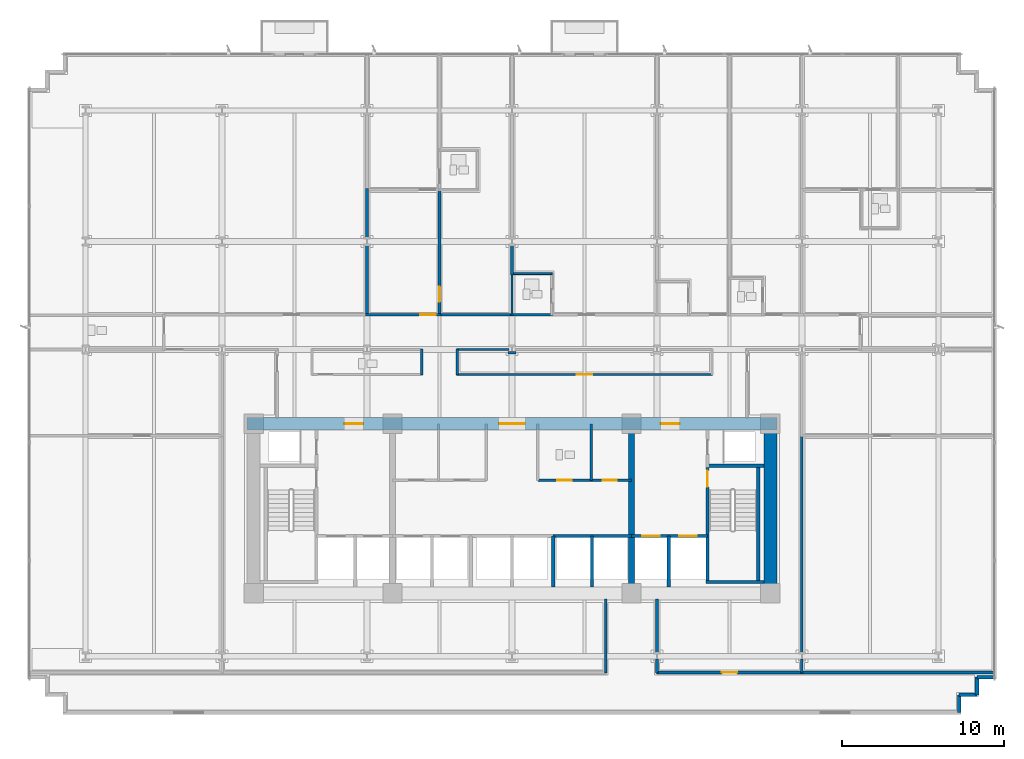
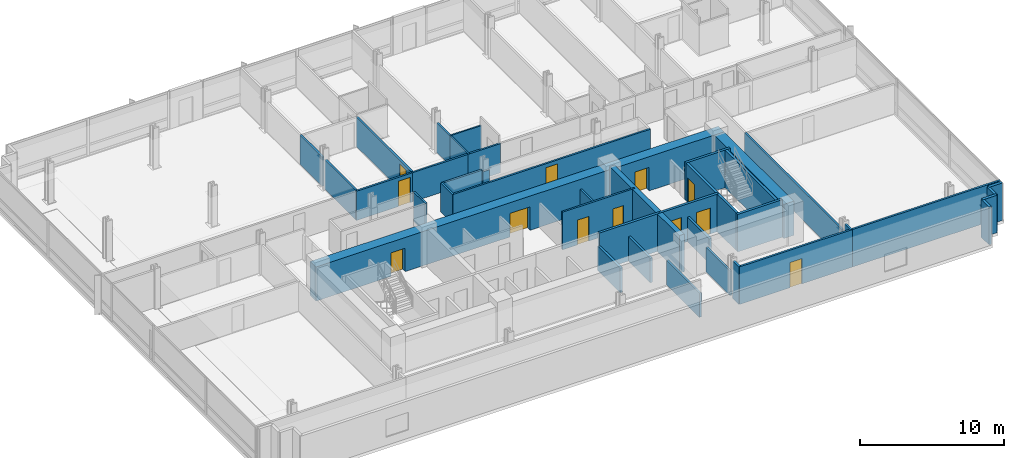
# One storey, part 9 of 17: 39 walls, 12 doors, 12 openings.
"""IFC4 building model written with IfcOpenShell, lengths in metres."""

import ifcopenshell
import ifcopenshell.guid

model = None  # the IFC model being written
_history = None  # IfcOwnerHistory: only IFC2X3 demands one
_inside = {}  # id of a spatial element -> (the spatial element, [elements in it])
_under = {}  # id of a project, library or spatial element -> (it, [spatial elements below it])
_declared = {}  # id of a project -> (the project, [libraries it declares])
_typed = {}  # id of a type object -> (the type object, [elements of that type])
_made_of = {}  # id of a material, layer set ... -> (it, [elements and type objects made of it])


def new_model(schema):
    """Start an empty IFC model of exactly this schema.

    Asked for "IFC4X3", IfcOpenShell would pick the latest addendum, in which some entities
    have other attributes; the version numbers below select the first issue.
    IFC2X3 requires an IfcOwnerHistory on every rooted entity: one is made here for all.
    """
    global model, _history
    if schema == "IFC4X3":
        model = ifcopenshell.file(schema_version=(4, 3, 0, 0))
    else:
        model = ifcopenshell.file(schema=schema)
    _inside.clear()
    _under.clear()
    _declared.clear()
    _typed.clear()
    _made_of.clear()
    _history = None
    if model.schema == "IFC2X3":
        org = make("IfcOrganization", Name="unknown")
        user = make(
            "IfcPersonAndOrganization",
            ThePerson=make("IfcPerson", FamilyName="unknown"),
            TheOrganization=org,
        )
        app = make(
            "IfcApplication",
            ApplicationDeveloper=org,
            Version="unknown",
            ApplicationFullName="unknown",
            ApplicationIdentifier="unknown",
        )
        _history = make(
            "IfcOwnerHistory",
            OwningUser=user,
            OwningApplication=app,
            ChangeAction="ADDED",
            CreationDate=0,
        )
    return model


def make(cls, **values):
    """One entity of the class cls with the attributes given. An attribute that is None is left unset."""
    return model.create_entity(
        cls, **{name: value for name, value in values.items() if value is not None}
    )


def rooted(cls, **values):
    """An entity with a GlobalId (a new one), such as an element, a storey or a relation."""
    return make(cls, GlobalId=ifcopenshell.guid.new(), OwnerHistory=_history, **values)


def si_unit(unit_type, name, prefix=None):
    """IfcSIUnit, for example si_unit("LENGTHUNIT", "METRE", prefix="MILLI")."""
    return make("IfcSIUnit", UnitType=unit_type, Prefix=prefix, Name=name)


def assignment(units):
    """IfcUnitAssignment: the units of a project."""
    return None if units is None else make("IfcUnitAssignment", Units=units)


def point(xyz):
    """IfcCartesianPoint."""
    return None if xyz is None else make("IfcCartesianPoint", Coordinates=xyz)


def direction(xyz):
    """IfcDirection."""
    return None if xyz is None else make("IfcDirection", DirectionRatios=xyz)


def frame(location, z_axis=None, x_axis=None):
    """IfcAxis2Placement3D, a coordinate frame: its origin and axes. An axis left out is left unset."""
    return make(
        "IfcAxis2Placement3D",
        Location=point(location),
        Axis=direction(z_axis),
        RefDirection=direction(x_axis),
    )


def frame_2d(location, x_axis=None):
    """IfcAxis2Placement2D, a coordinate frame in the plane: its origin and x axis."""
    return make(
        "IfcAxis2Placement2D", Location=point(location), RefDirection=direction(x_axis)
    )


def origin():
    """The frame at (0, 0, 0) with its axes left unset."""
    return frame((0.0, 0.0, 0.0))


def place(relative_to, where):
    """IfcLocalPlacement: puts the frame where relative to a parent placement (None: the world)."""
    return make(
        "IfcLocalPlacement", PlacementRelTo=relative_to, RelativePlacement=where
    )


def context(
    kind, dimensions, precision=None, world=None, true_north=None, identifier=None
):
    """IfcGeometricRepresentationContext, for example the 3D "Model" context."""
    return make(
        "IfcGeometricRepresentationContext",
        ContextIdentifier=identifier,
        ContextType=kind,
        CoordinateSpaceDimension=dimensions,
        Precision=precision,
        WorldCoordinateSystem=world,
        TrueNorth=true_north,
    )


def subcontext(parent, identifier, kind, view, scale=None):
    """IfcGeometricRepresentationSubContext, for example "Body" below "Model"."""
    return make(
        "IfcGeometricRepresentationSubContext",
        ContextIdentifier=identifier,
        ContextType=kind,
        ParentContext=parent,
        TargetScale=scale,
        TargetView=view,
    )


def project(units=None, contexts=None):
    """IfcProject with its units and contexts."""
    return rooted(
        "IfcProject",
        Name="project",
        RepresentationContexts=contexts,
        UnitsInContext=assignment(units),
    )


def spatial(cls, under=None, at=None, **own):
    """A site, building, storey or space (cls), placed at a placement, below another one or the project."""
    s = rooted(cls, ObjectPlacement=at, **own)
    if under is not None:
        _under.setdefault(under.id(), (under, []))[1].append(s)
    return s


def profile(cls, at=None, kind="AREA", **sizes):
    """A parametric profile (cls). Its sizes go by their IFC names, for example OverallWidth=200.0."""
    return make(cls, ProfileType=kind, Position=at, **sizes)


def rectangle(**sizes):
    """IfcRectangleProfileDef."""
    return profile("IfcRectangleProfileDef", **sizes)


def extrude(swept, where, along, depth):
    """IfcExtrudedAreaSolid: the profile swept, set in the frame where, extruded along a direction by depth."""
    return make(
        "IfcExtrudedAreaSolid",
        SweptArea=swept,
        Position=where,
        ExtrudedDirection=direction(along),
        Depth=depth,
    )


def shape(context_of_items, identifier, shape_type, items):
    """IfcShapeRepresentation: the items that make up one representation, for example the "Body"."""
    return make(
        "IfcShapeRepresentation",
        ContextOfItems=context_of_items,
        RepresentationIdentifier=identifier,
        RepresentationType=shape_type,
        Items=items,
    )


def material(Name=None, Category=None):
    """IfcMaterial."""
    return make("IfcMaterial", Name=Name, Category=Category)


def layer(
    of_material, thickness, ventilated=None, Name=None, Category=None, Priority=None
):
    """IfcMaterialLayer: one layer of a wall or slab, of a material (None: an air gap)."""
    return make(
        "IfcMaterialLayer",
        Material=of_material,
        LayerThickness=thickness,
        IsVentilated=ventilated,
        Name=Name,
        Category=Category,
        Priority=Priority,
    )


def layer_set(layers, Name=None):
    """IfcMaterialLayerSet."""
    return make("IfcMaterialLayerSet", MaterialLayers=layers, LayerSetName=Name)


def made_of(thing, what):
    """Note that an element or type object is made of a material, layer set ...; save() writes the relation."""
    if what is not None:
        _made_of.setdefault(what.id(), (what, []))[1].append(thing)
    return thing


def type_object(cls, material=None, **own):
    """A type object (cls), such as IfcWallType, which elements share."""
    return made_of(rooted(cls, **own), material)


def element(
    cls,
    number,
    at=None,
    inside=None,
    cuts=None,
    type_object=None,
    material=None,
    context=None,
    identifier="Body",
    shape_type=None,
    held_by="IfcProductDefinitionShape",
    body=None,
    shapes=None,
    **own,
):
    """One element of the class cls, such as IfcWall. Its Tag is "e" and its number.

    at: its placement. inside: the storey or other place that contains it. cuts: it is an
    opening in that element (IfcRelVoidsElement). A single representation is given by context,
    identifier, shape_type and body (its items); several are given by shapes. held_by: the class
    of the entity that holds the representations. save() writes the other relations.
    """
    e = rooted(cls, Tag="e%d" % number, ObjectPlacement=at, **own)
    if body is not None:
        shapes = [shape(context, identifier, shape_type, body)]
    if shapes is not None:
        e.Representation = make(held_by, Representations=shapes)
    if inside is not None:
        _inside.setdefault(inside.id(), (inside, []))[1].append(e)
    if cuts is not None:
        rooted(
            "IfcRelVoidsElement", RelatingBuildingElement=cuts, RelatedOpeningElement=e
        )
    if type_object is not None:
        _typed.setdefault(type_object.id(), (type_object, []))[1].append(e)
    return made_of(e, material)


def fill(opening, filler):
    """IfcRelFillsElement: the door or window that sits in an opening."""
    return rooted(
        "IfcRelFillsElement",
        RelatingOpeningElement=opening,
        RelatedBuildingElement=filler,
    )


def aggregate(whole, parts):
    """IfcRelAggregates: a whole, such as a stair, and the parts it consists of."""
    return rooted("IfcRelAggregates", RelatingObject=whole, RelatedObjects=parts)


def save(model, path):
    """Write the relations noted so far, then the file.

    IfcRelAggregates (storeys below a building ...), IfcRelContainedInSpatialStructure (elements
    in a storey), IfcRelDefinesByType, IfcRelAssociatesMaterial and IfcRelDeclares: one each for
    every whole, place, type object, material and project.
    """
    for whole, parts in _under.values():
        aggregate(whole, parts)
    for where, things in _inside.values():
        rooted(
            "IfcRelContainedInSpatialStructure",
            RelatedElements=things,
            RelatingStructure=where,
        )
    for kind, things in _typed.values():
        rooted("IfcRelDefinesByType", RelatedObjects=things, RelatingType=kind)
    for what, things in _made_of.values():
        rooted("IfcRelAssociatesMaterial", RelatedObjects=things, RelatingMaterial=what)
    for by, libraries in _declared.values():
        rooted("IfcRelDeclares", RelatingContext=by, RelatedDefinitions=libraries)
    model.write(path)


model = new_model("IFC4")

# Units and contexts
model_context = context("Model", 3, precision=1e-05, world=origin(), true_north=direction((0.0, 1.0)))
body_context = subcontext(model_context, "Body", "Model", "MODEL_VIEW")
ifc_project = project(units=[si_unit("LENGTHUNIT", "METRE"), si_unit("AREAUNIT", "SQUARE_METRE"), si_unit("VOLUMEUNIT", "CUBIC_METRE"), si_unit("PLANEANGLEUNIT", "RADIAN"), si_unit("MASSUNIT", "GRAM", prefix="KILO")], contexts=[model_context])

# Site, building, storey
site_placement = place(None, origin())
site = spatial("IfcSite", under=ifc_project, at=site_placement, CompositionType="ELEMENT")
building_placement = place(site_placement, origin())
building = spatial("IfcBuilding", under=site, at=building_placement, Name="Solmavex Isthmus Hotel", CompositionType="ELEMENT")
storey_placement = place(building_placement, frame((0.0, 0.0, 40.199951171875)))
storey = spatial("IfcBuildingStorey", under=building, at=storey_placement, Name="L10", CompositionType="ELEMENT", Elevation=40.199951171875)

# Walls
ifc_material_1 = material(Name="Precast Concrete C40/50", Category="concrete")
ifc_layer_1 = layer(ifc_material_1, 0.25)
ifc_layer_set_1 = layer_set([ifc_layer_1], Name="Precast Concrete C40/50")
wall_type_1 = type_object("IfcWallType", Name="EW-TWR-250", PredefinedType="STANDARD", material=ifc_layer_set_1)
wall_1_placement = place(storey_placement, frame((29.889892578125, -18.18994140625, 0.0), z_axis=(0.0, 0.0, 1.0), x_axis=(-1.0, 0.0, 0.0)))
element("IfcWall", 1, at=wall_1_placement, inside=storey, type_object=wall_type_1, Name="Serrated Corner Facade Panel L10-16", PredefinedType="STANDARD", context=body_context, shape_type="SweptSolid", body=[
    extrude(rectangle(XDim=1.099853515625, YDim=0.219970703125, at=frame_2d((0.5498046875, 0.0))), origin(), (0.0, 0.0, 1.0), 3.18994140625),
])
for number, where, z_axis, x_axis, name in (
    (2, (28.7900390625, -18.18994140625, 0.0), (0.0, 0.0, 1.0), (0.0, -1.0, 0.0), "Serrated Corner Facade Panel L10-17"),
    (3, (28.7900390625, -19.2900390625, 0.0), (0.0, 0.0, 1.0), (-1.0, 0.0, 0.0), "Serrated Corner Facade Panel L10-18"),
):
    element("IfcWall", number, at=place(storey_placement, frame(where, z_axis=z_axis, x_axis=x_axis)), inside=storey, type_object=wall_type_1, Name=name, PredefinedType="STANDARD", context=body_context, shape_type="SweptSolid", body=[
        extrude(rectangle(XDim=1.10009765625, YDim=0.219970703125, at=frame_2d((0.550048828125, 0.0))), origin(), (0.0, 0.0, 1.0), 3.18994140625),
    ])
wall_2_placement = place(storey_placement, frame((27.68994140625, -19.2900390625, 0.0), z_axis=(0.0, 0.0, 1.0), x_axis=(0.0, -1.0, 0.0)))
element("IfcWall", 4, at=wall_2_placement, inside=storey, type_object=wall_type_1, Name="Serrated Corner Facade Panel L10-19", PredefinedType="STANDARD", context=body_context, shape_type="SweptSolid", body=[
    extrude(rectangle(XDim=1.099853515625, YDim=0.219970703125, at=frame_2d((0.5498046875, 0.0))), origin(), (0.0, 0.0, 1.0), 3.18994140625),
])
ifc_material_2 = material(Name="Gypsum plasterboard lining", Category="gypsum")
ifc_layer_2 = layer(ifc_material_2, 0.159912109375)
ifc_layer_set_2 = layer_set([ifc_layer_2], Name="Gypsum plasterboard lining")
wall_type_2 = type_object("IfcWallType", Name="IW-COMP-160", PredefinedType="PARTITIONING", material=ifc_layer_set_2)
wall_3_placement = place(storey_placement, frame((-8.97607421875, 8.613037109375, 0.0), z_axis=(0.0, 0.0, 1.0), x_axis=(0.0, -1.0, 0.0)))
element("IfcWall", 5, at=wall_3_placement, inside=storey, type_object=wall_type_2, Name="Interior Partition Wall W-L10-P033", PredefinedType="PARTITIONING", context=body_context, shape_type="SweptSolid", body=[
    extrude(rectangle(XDim=4.403076171875, YDim=0.159912109375, at=frame_2d((2.20166015625, 0.0))), origin(), (0.0, 0.0, 1.0), 2.4794921875),
])
wall_4_placement = place(storey_placement, frame((-8.97607421875, 12.070068359375, 0.0), z_axis=(0.0, 0.0, 1.0), x_axis=(0.0, -1.0, 0.0)))
element("IfcWall", 6, at=wall_4_placement, inside=storey, type_object=wall_type_2, Name="Interior Partition Wall W-L10-P034", PredefinedType="PARTITIONING", context=body_context, shape_type="SweptSolid", body=[
    extrude(rectangle(XDim=3.107177734375, YDim=0.159912109375, at=frame_2d((1.5537109375, 0.0))), origin(), (0.0, 0.0, 1.0), 2.4794921875),
])

# Wall, opening, door
wall_5_placement = place(storey_placement, frame((-4.488037109375, 12.028076171875, 0.0), z_axis=(0.0, 0.0, 1.0), x_axis=(0.0, -1.0, 0.0)))
wall_5 = element("IfcWall", 7, at=wall_5_placement, inside=storey, type_object=wall_type_2, Name="Interior Partition Wall W-L10-P039", PredefinedType="PARTITIONING", context=body_context, shape_type="SweptSolid", body=[
    extrude(rectangle(XDim=7.818115234375, YDim=0.159912109375, at=frame_2d((3.9091796875, 0.0))), origin(), (0.0, 0.0, 1.0), 2.4794921875),
])
opening_1_placement = place(wall_5_placement, frame((6.033935546875, 0.0, 0.0)))
opening_1 = element("IfcOpeningElement", 8, at=opening_1_placement, cuts=wall_5, Name="Opening ID-C095", PredefinedType="OPENING", context=body_context, shape_type="SweptSolid", body=[
    extrude(rectangle(XDim=0.949951171875, YDim=2.14990234375, at=frame_2d((0.47509765625, 1.074951171875))), frame((0.0, 0.08984375, 0.0), z_axis=(0.0, -1.0, 0.0), x_axis=(1.0, 0.0, 0.0)), (0.0, 0.0, 1.0), 0.179931640625),
])
ifc_material_3 = material(Name="Hardwood timber", Category="wood")
door_type_1 = type_object("IfcDoorType", Name="IDR-FD60-0950", OperationType="NOTDEFINED", PredefinedType="DOOR", material=ifc_material_3)
door_1_placement = place(opening_1_placement, origin())
door_1 = element("IfcDoor", 9, at=door_1_placement, inside=storey, type_object=door_type_1, Name="Premier Suite Living Lounge Door L10-04", OperationType="SINGLE_SWING_RIGHT", OverallHeight=2.14990234375, OverallWidth=0.949951171875, PredefinedType="DOOR", context=body_context, shape_type="SweptSolid", body=[
    extrude(rectangle(XDim=0.949951171875, YDim=2.14990234375, at=frame_2d((0.47509765625, 1.074951171875))), frame((0.0, 0.02490234375, 0.0), z_axis=(0.0, -1.0, 0.0), x_axis=(1.0, 0.0, 0.0)), (0.0, 0.0, 1.0), 0.050048828125),
])
fill(opening_1, door_1)

# Wall
wall_6_placement = place(storey_placement, frame((0.0, 8.613037109375, 0.0), z_axis=(0.0, 0.0, 1.0), x_axis=(0.0, -1.0, 0.0)))
element("IfcWall", 10, at=wall_6_placement, inside=storey, type_object=wall_type_2, Name="Interior Partition Wall W-L10-P045", PredefinedType="PARTITIONING", context=body_context, shape_type="SweptSolid", body=[
    extrude(rectangle(XDim=1.89501953125, YDim=0.159912109375, at=frame_2d((0.947509765625, 0.0))), origin(), (0.0, 0.0, 1.0), 2.4794921875),
])

# Wall, opening, door
wall_7_placement = place(storey_placement, frame((17.991943359375, -17.89990234375, 0.0), z_axis=(0.0, 0.0, 1.0), x_axis=(-1.0, 0.0, 0.0)))
wall_7 = element("IfcWall", 11, at=wall_7_placement, inside=storey, type_object=wall_type_2, Name="Interior Partition Wall W-L10-P081", PredefinedType="PARTITIONING", context=body_context, shape_type="SweptSolid", body=[
    extrude(rectangle(XDim=9.055908203125, YDim=0.159912109375, at=frame_2d((4.52783203125, 0.0))), origin(), (0.0, 0.0, 1.0), 3.18994140625),
])
opening_2_placement = place(wall_7_placement, frame((4.052978515625, 0.0, 0.0)))
opening_2 = element("IfcOpeningElement", 12, at=opening_2_placement, cuts=wall_7, Name="Opening ID-C095", PredefinedType="OPENING", context=body_context, shape_type="SweptSolid", body=[
    extrude(rectangle(XDim=0.949951171875, YDim=2.14990234375, at=frame_2d((0.47509765625, 1.074951171875))), frame((0.0, 0.08984375, 0.0), z_axis=(0.0, -1.0, 0.0), x_axis=(1.0, 0.0, 0.0)), (0.0, 0.0, 1.0), 0.179931640625),
])
door_2_placement = place(opening_2_placement, origin())
door_2 = element("IfcDoor", 13, at=door_2_placement, inside=storey, type_object=door_type_1, Name="Corporate Briefing Office Door L10-24", OperationType="SINGLE_SWING_RIGHT", OverallHeight=2.14990234375, OverallWidth=0.949951171875, PredefinedType="DOOR", context=body_context, shape_type="SweptSolid", body=[
    extrude(rectangle(XDim=0.949951171875, YDim=2.14990234375, at=frame_2d((0.47509765625, 1.074951171875))), frame((0.0, 0.02490234375, 0.0), z_axis=(0.0, -1.0, 0.0), x_axis=(1.0, 0.0, 0.0)), (0.0, 0.0, 1.0), 0.050048828125),
])
fill(opening_2, door_2)

# Walls
wall_8_placement = place(storey_placement, frame((8.97607421875, -17.93994140625, 0.0), z_axis=(0.0, 0.0, 1.0), x_axis=(0.0, 1.0, 0.0)))
element("IfcWall", 14, at=wall_8_placement, inside=storey, type_object=wall_type_2, Name="Interior Partition Wall W-L10-P082", PredefinedType="PARTITIONING", context=body_context, shape_type="SweptSolid", body=[
    extrude(rectangle(XDim=0.864990234375, YDim=0.159912109375, at=frame_2d((0.4326171875, 0.0))), origin(), (0.0, 0.0, 1.0), 3.18994140625),
])
wall_9_placement = place(storey_placement, frame((8.97607421875, -16.72509765625, 0.0), z_axis=(0.0, 0.0, 1.0), x_axis=(0.0, 1.0, 0.0)))
element("IfcWall", 15, at=wall_9_placement, inside=storey, type_object=wall_type_2, Name="Interior Partition Wall W-L10-P083", PredefinedType="PARTITIONING", context=body_context, shape_type="SweptSolid", body=[
    extrude(rectangle(XDim=3.364990234375, YDim=0.159912109375, at=frame_2d((1.6826171875, 0.0))), origin(), (0.0, 0.0, 1.0), 2.074951171875),
])
wall_10_placement = place(storey_placement, frame((17.951904296875, -17.074951171875, 0.0), z_axis=(0.0, 0.0, 1.0), x_axis=(0.0, -1.0, 0.0)))
element("IfcWall", 16, at=wall_10_placement, inside=storey, type_object=wall_type_2, Name="Interior Partition Wall W-L10-P084", PredefinedType="PARTITIONING", context=body_context, shape_type="SweptSolid", body=[
    extrude(rectangle(XDim=0.864990234375, YDim=0.159912109375, at=frame_2d((0.4326171875, 0.0))), origin(), (0.0, 0.0, 1.0), 3.18994140625),
])
wall_11_placement = place(storey_placement, frame((17.951904296875, -3.16796875, 0.0), z_axis=(0.0, 0.0, 1.0), x_axis=(0.0, -1.0, 0.0)))
element("IfcWall", 17, at=wall_11_placement, inside=storey, type_object=wall_type_2, Name="Interior Partition Wall W-L10-P085", PredefinedType="PARTITIONING", context=body_context, shape_type="SweptSolid", body=[
    extrude(rectangle(XDim=13.55712890625, YDim=0.159912109375, at=frame_2d((6.778564453125, 0.0))), origin(), (0.0, 0.0, 1.0), 2.4794921875),
])
wall_12_placement = place(storey_placement, frame((5.800048828125, -13.360107421875, 0.0), z_axis=(0.0, 0.0, 1.0), x_axis=(0.0, -1.0, 0.0)))
element("IfcWall", 18, at=wall_12_placement, inside=storey, type_object=wall_type_2, Name="Interior Partition Wall W-L10-P086", PredefinedType="PARTITIONING", context=body_context, shape_type="SweptSolid", body=[
    extrude(rectangle(XDim=4.579833984375, YDim=0.159912109375, at=frame_2d((2.2900390625, 0.0))), origin(), (0.0, 0.0, 1.0), 2.074951171875),
])
wall_13_placement = place(storey_placement, frame((17.8701171875, -17.89990234375, 0.0), z_axis=(0.0, 0.0, 1.0), x_axis=(1.0, 0.0, 0.0)))
element("IfcWall", 19, at=wall_13_placement, inside=storey, type_object=wall_type_2, Name="Interior Partition Wall W-L10-P091", PredefinedType="PARTITIONING", context=body_context, shape_type="SweptSolid", body=[
    extrude(rectangle(XDim=12.0498046875, YDim=0.159912109375, at=frame_2d((6.02490234375, 0.0))), origin(), (0.0, 0.0, 1.0), 3.18994140625),
])

# Wall, openings, doors
ifc_layer_3 = layer(ifc_material_2, 0.14990234375)
ifc_layer_set_3 = layer_set([ifc_layer_3], Name="Gypsum plasterboard lining")
wall_type_3 = type_object("IfcWallType", Name="IW-CORR-150", PredefinedType="PARTITIONING", material=ifc_layer_set_3)
wall_14_placement = place(storey_placement, frame((1.60009765625, -6.0, 0.0), z_axis=(0.0, 0.0, 1.0), x_axis=(1.0, 0.0, 0.0)))
wall_14 = element("IfcWall", 20, at=wall_14_placement, inside=storey, type_object=wall_type_3, Name="Interior Partition Wall W-L10-BOH-ES", PredefinedType="PARTITIONING", context=body_context, shape_type="SweptSolid", body=[
    extrude(rectangle(XDim=5.7998046875, YDim=0.14990234375, at=frame_2d((2.89990234375, 0.0))), origin(), (0.0, 0.0, 1.0), 3.18994140625),
])
opening_3_placement = place(wall_14_placement, frame((1.199951171875, 0.0, 0.0)))
opening_3 = element("IfcOpeningElement", 21, at=opening_3_placement, cuts=wall_14, Name="Opening ID-C090", PredefinedType="OPENING", context=body_context, shape_type="SweptSolid", body=[
    extrude(rectangle(XDim=0.89990234375, YDim=2.10009765625, at=frame_2d((0.449951171875, 1.050048828125))), frame((0.0, 0.0849609375, 0.0), z_axis=(0.0, -1.0, 0.0), x_axis=(1.0, 0.0, 0.0)), (0.0, 0.0, 1.0), 0.169921875),
])
opening_4_placement = place(wall_14_placement, frame((4.02490234375, 0.0, 0.0)))
opening_4 = element("IfcOpeningElement", 22, at=opening_4_placement, cuts=wall_14, Name="Opening ID-R085", PredefinedType="OPENING", context=body_context, shape_type="SweptSolid", body=[
    extrude(rectangle(XDim=0.85009765625, YDim=2.050048828125, at=frame_2d((0.425048828125, 1.02490234375))), frame((0.0, 0.0849609375, 0.0), z_axis=(0.0, -1.0, 0.0), x_axis=(1.0, 0.0, 0.0)), (0.0, 0.0, 1.0), 0.169921875),
])
ifc_material_4 = material(Name="Steel ASTM A500 Grade C", Category="steel")
door_type_2 = type_object("IfcDoorType", Name="IDR-FD60-0850", OperationType="NOTDEFINED", PredefinedType="DOOR", material=ifc_material_4)
door_3_placement = place(opening_4_placement, frame((0.85009765625, 0.0, 0.0), z_axis=(0.0, 0.0, 1.0), x_axis=(-1.0, 0.0, 0.0)))
door_3 = element("IfcDoor", 23, at=door_3_placement, inside=storey, type_object=door_type_2, Name="IT Room Door L10", OperationType="SINGLE_SWING_RIGHT", OverallHeight=2.050048828125, OverallWidth=0.85009765625, PredefinedType="DOOR", context=body_context, shape_type="SweptSolid", body=[
    extrude(rectangle(XDim=0.85009765625, YDim=2.050048828125, at=frame_2d((0.425048828125, 1.02490234375))), frame((0.0, 0.02490234375, 0.0), z_axis=(0.0, -1.0, 0.0), x_axis=(1.0, 0.0, 0.0)), (0.0, 0.0, 1.0), 0.050048828125),
])
fill(opening_4, door_3)
door_type_3 = type_object("IfcDoorType", Name="IDR-FD60-0900", OperationType="NOTDEFINED", PredefinedType="DOOR", material=ifc_material_3)
door_4_placement = place(opening_3_placement, frame((0.89990234375, 0.0, 0.0), z_axis=(0.0, 0.0, 1.0), x_axis=(-1.0, 0.0, 0.0)))
door_4 = element("IfcDoor", 24, at=door_4_placement, inside=storey, type_object=door_type_3, Name="Staff Restroom Door L10", OperationType="SINGLE_SWING_LEFT", OverallHeight=2.10009765625, OverallWidth=0.89990234375, PredefinedType="DOOR", context=body_context, shape_type="SweptSolid", body=[
    extrude(rectangle(XDim=0.89990234375, YDim=2.10009765625, at=frame_2d((0.449951171875, 1.050048828125))), frame((0.0, 0.02490234375, 0.0), z_axis=(0.0, -1.0, 0.0), x_axis=(1.0, 0.0, 0.0)), (0.0, 0.0, 1.0), 0.050048828125),
])
fill(opening_3, door_4)

# Wall, opening, door
wall_15_placement = place(storey_placement, frame((-9.05810546875, 4.25, 0.0), z_axis=(0.0, 0.0, 1.0), x_axis=(1.0, 0.0, 0.0)))
wall_15 = element("IfcWall", 25, at=wall_15_placement, inside=storey, type_object=wall_type_3, Name="Interior Partition Wall W-L10-P002", PredefinedType="PARTITIONING", context=body_context, shape_type="SweptSolid", body=[
    extrude(rectangle(XDim=4.652099609375, YDim=0.14990234375, at=frame_2d((2.326171875, 0.0))), origin(), (0.0, 0.0, 1.0), 2.4794921875),
])
opening_5_placement = place(wall_15_placement, frame((3.38720703125, 0.0, 0.0)))
opening_5 = element("IfcOpeningElement", 26, at=opening_5_placement, cuts=wall_15, Name="Opening ID-C095", PredefinedType="OPENING", context=body_context, shape_type="SweptSolid", body=[
    extrude(rectangle(XDim=0.949951171875, YDim=2.14990234375, at=frame_2d((0.47509765625, 1.074951171875))), frame((0.0, 0.0849609375, 0.0), z_axis=(0.0, -1.0, 0.0), x_axis=(1.0, 0.0, 0.0)), (0.0, 0.0, 1.0), 0.169921875),
])
door_5_placement = place(opening_5_placement, origin())
door_5 = element("IfcDoor", 27, at=door_5_placement, inside=storey, type_object=door_type_1, Name="Premier Suite Entrance Hall Door L10-02", OperationType="SINGLE_SWING_RIGHT", OverallHeight=2.14990234375, OverallWidth=0.949951171875, PredefinedType="DOOR", context=body_context, shape_type="SweptSolid", body=[
    extrude(rectangle(XDim=0.949951171875, YDim=2.14990234375, at=frame_2d((0.47509765625, 1.074951171875))), frame((0.0, 0.02490234375, 0.0), z_axis=(0.0, -1.0, 0.0), x_axis=(1.0, 0.0, 0.0)), (0.0, 0.0, 1.0), 0.050048828125),
])
fill(opening_5, door_5)

# Walls
wall_16_placement = place(storey_placement, frame((-4.570068359375, 4.25, 0.0), z_axis=(0.0, 0.0, 1.0), x_axis=(1.0, 0.0, 0.0)))
element("IfcWall", 28, at=wall_16_placement, inside=storey, type_object=wall_type_3, Name="Interior Partition Wall W-L10-P003", PredefinedType="PARTITIONING", context=body_context, shape_type="SweptSolid", body=[
    extrude(rectangle(XDim=4.652099609375, YDim=0.14990234375, at=frame_2d((2.326171875, 0.0))), origin(), (0.0, 0.0, 1.0), 2.4794921875),
])
wall_17_placement = place(storey_placement, frame((-0.08203125, 4.25, 0.0), z_axis=(0.0, 0.0, 1.0), x_axis=(1.0, 0.0, 0.0)))
element("IfcWall", 29, at=wall_17_placement, inside=storey, type_object=wall_type_3, Name="Interior Partition Wall W-L10-P005", PredefinedType="PARTITIONING", context=body_context, shape_type="SweptSolid", body=[
    extrude(rectangle(XDim=2.614013671875, YDim=0.14990234375, at=frame_2d((1.30712890625, 0.0))), origin(), (0.0, 0.0, 1.0), 2.4794921875),
])
wall_18_placement = place(storey_placement, frame((-5.587890625, 0.510009765625, 0.0), z_axis=(0.0, 0.0, 1.0), x_axis=(0.0, 1.0, 0.0)))
element("IfcWall", 30, at=wall_18_placement, inside=storey, type_object=wall_type_3, Name="Interior Partition Wall W-L10-P014", PredefinedType="PARTITIONING", context=body_context, shape_type="SweptSolid", body=[
    extrude(rectangle(XDim=1.6298828125, YDim=0.14990234375, at=frame_2d((0.81494140625, 0.0))), origin(), (0.0, 0.0, 1.0), 2.4794921875),
])
wall_19_placement = place(storey_placement, frame((0.2548828125, 1.885009765625, 0.0), z_axis=(0.0, 0.0, 1.0), x_axis=(-1.0, 0.0, 0.0)))
element("IfcWall", 31, at=wall_19_placement, inside=storey, type_object=wall_type_3, Name="Interior Partition Wall W-L10-P019", PredefinedType="PARTITIONING", context=body_context, shape_type="SweptSolid", body=[
    extrude(rectangle(XDim=0.509765625, YDim=0.14990234375, at=frame_2d((0.2548828125, 0.0))), origin(), (0.0, 0.0, 1.0), 2.4794921875),
])
wall_20_placement = place(storey_placement, frame((-0.175048828125, 2.10009765625, 0.0), z_axis=(0.0, 0.0, 1.0), x_axis=(-1.0, 0.0, 0.0)))
element("IfcWall", 32, at=wall_20_placement, inside=storey, type_object=wall_type_3, Name="Interior Partition Wall W-L10-P020", PredefinedType="PARTITIONING", context=body_context, shape_type="SweptSolid", body=[
    extrude(rectangle(XDim=3.2529296875, YDim=0.14990234375, at=frame_2d((1.62646484375, 0.0))), origin(), (0.0, 0.0, 1.0), 2.4794921875),
])
wall_21_placement = place(storey_placement, frame((-3.387939453125, 2.139892578125, 0.0), z_axis=(0.0, 0.0, 1.0), x_axis=(0.0, -1.0, 0.0)))
element("IfcWall", 33, at=wall_21_placement, inside=storey, type_object=wall_type_3, Name="Interior Partition Wall W-L10-P021", PredefinedType="PARTITIONING", context=body_context, shape_type="SweptSolid", body=[
    extrude(rectangle(XDim=1.6298828125, YDim=0.14990234375, at=frame_2d((0.81494140625, 0.0))), origin(), (0.0, 0.0, 1.0), 2.4794921875),
])

# Wall, opening, door
wall_22_placement = place(storey_placement, frame((-3.427978515625, 0.550048828125, 0.0), z_axis=(0.0, 0.0, 1.0), x_axis=(1.0, 0.0, 0.0)))
wall_22 = element("IfcWall", 34, at=wall_22_placement, inside=storey, type_object=wall_type_3, Name="Interior Partition Wall W-L10-P022", PredefinedType="PARTITIONING", context=body_context, shape_type="SweptSolid", body=[
    extrude(rectangle(XDim=15.85205078125, YDim=0.14990234375, at=frame_2d((7.926025390625, 0.0))), origin(), (0.0, 0.0, 1.0), 2.4794921875),
])
opening_6_placement = place(wall_22_placement, frame((7.450927734375, 0.0, 0.0)))
opening_6 = element("IfcOpeningElement", 35, at=opening_6_placement, cuts=wall_22, Name="Opening ID-C095", PredefinedType="OPENING", context=body_context, shape_type="SweptSolid", body=[
    extrude(rectangle(XDim=0.949951171875, YDim=2.14990234375, at=frame_2d((0.47509765625, 1.074951171875))), frame((0.0, 0.0849609375, 0.0), z_axis=(0.0, -1.0, 0.0), x_axis=(1.0, 0.0, 0.0)), (0.0, 0.0, 1.0), 0.169921875),
])
door_6_placement = place(opening_6_placement, origin())
door_6 = element("IfcDoor", 36, at=door_6_placement, inside=storey, type_object=door_type_1, Name="Seminar Meeting Room Door L10-19", OperationType="SINGLE_SWING_LEFT", OverallHeight=2.14990234375, OverallWidth=0.949951171875, PredefinedType="DOOR", context=body_context, shape_type="SweptSolid", body=[
    extrude(rectangle(XDim=0.949951171875, YDim=2.14990234375, at=frame_2d((0.47509765625, 1.074951171875))), frame((0.0, 0.02490234375, 0.0), z_axis=(0.0, -1.0, 0.0), x_axis=(1.0, 0.0, 0.0)), (0.0, 0.0, 1.0), 0.050048828125),
])
fill(opening_6, door_6)

# Walls
ifc_layer_4 = layer(ifc_material_2, 0.1201171875)
ifc_layer_set_4 = layer_set([ifc_layer_4], Name="Gypsum plasterboard lining")
wall_type_4 = type_object("IfcWallType", Name="IW-PART-120", PredefinedType="PARTITIONING", material=ifc_layer_set_4)
wall_23_placement = place(storey_placement, frame((4.89990234375, -6.0, 0.0), z_axis=(0.0, 0.0, 1.0), x_axis=(0.0, 1.0, 0.0)))
element("IfcWall", 37, at=wall_23_placement, inside=storey, type_object=wall_type_4, Name="Interior Partition Wall W-L10-BOH-EM2", PredefinedType="PARTITIONING", context=body_context, shape_type="SweptSolid", body=[
    extrude(rectangle(XDim=3.5, YDim=0.14990234375, at=frame_2d((1.75, 0.0))), origin(), (0.0, 0.0, 1.0), 2.074951171875),
])
wall_24_placement = place(storey_placement, frame((0.0, 6.882080078125, 0.0), z_axis=(0.0, 0.0, 1.0), x_axis=(0.0, -1.0, 0.0)))
element("IfcWall", 38, at=wall_24_placement, inside=storey, type_object=wall_type_4, Name="Interior Partition Wall W-L10-P048", PredefinedType="PARTITIONING", context=body_context, shape_type="SweptSolid", body=[
    extrude(rectangle(XDim=2.672119140625, YDim=0.1201171875, at=frame_2d((1.3359375, 0.0))), origin(), (0.0, 0.0, 1.0), 2.4794921875),
])
wall_25_placement = place(storey_placement, frame((2.489990234375, 6.800048828125, 0.0), z_axis=(0.0, 0.0, 1.0), x_axis=(-1.0, 0.0, 0.0)))
element("IfcWall", 39, at=wall_25_placement, inside=storey, type_object=wall_type_4, Name="Interior Partition Wall W-L10-P050", PredefinedType="PARTITIONING", context=body_context, shape_type="SweptSolid", body=[
    extrude(rectangle(XDim=2.530029296875, YDim=0.1201171875, at=frame_2d((1.26513671875, 0.0))), origin(), (0.0, 0.0, 1.0), 2.4794921875),
])
ifc_material_5 = material(Name="Concrete C40/50", Category="concrete")
ifc_layer_5 = layer(ifc_material_5, 0.179931640625)
ifc_layer_set_5 = layer_set([ifc_layer_5], Name="Concrete C40/50")
wall_type_5 = type_object("IfcWallType", Name="IW-SHAFT-180", PredefinedType="PARTITIONING", material=ifc_layer_set_5)
wall_26_placement = place(storey_placement, frame((4.949951171875, -12.60009765625, 0.0), z_axis=(0.0, 0.0, 1.0), x_axis=(0.0, 1.0, 0.0)))
element("IfcWall", 40, at=wall_26_placement, inside=storey, type_object=wall_type_5, Name="Interior Partition Wall W-L10-SH-PLH-M", PredefinedType="PARTITIONING", context=body_context, shape_type="SweptSolid", body=[
    extrude(rectangle(XDim=3.150146484375, YDim=0.179931640625, at=frame_2d((1.5751953125, 0.0))), origin(), (0.0, 0.0, 1.0), 2.074951171875),
])

# Wall, openings, doors
ifc_layer_6 = layer(ifc_material_5, 0.199951171875)
ifc_layer_set_6 = layer_set([ifc_layer_6], Name="Concrete C40/50")
wall_type_6 = type_object("IfcWallType", Name="IW-SHAFT-200", PredefinedType="PARTITIONING", material=ifc_layer_set_6)
wall_27_placement = place(storey_placement, frame((7.39990234375, -9.449951171875, 0.0), z_axis=(0.0, 0.0, 1.0), x_axis=(1.0, 0.0, 0.0)))
wall_27 = element("IfcWall", 41, at=wall_27_placement, inside=storey, type_object=wall_type_6, Name="Interior Partition Wall W-L10-FFLE-S", PredefinedType="PARTITIONING", context=body_context, shape_type="SweptSolid", body=[
    extrude(rectangle(XDim=4.7001953125, YDim=0.199951171875, at=frame_2d((2.35009765625, 0.0))), origin(), (0.0, 0.0, 1.0), 3.18994140625),
])
opening_7_placement = place(wall_27_placement, frame((2.949951171875, 0.0, 0.0)))
opening_7 = element("IfcOpeningElement", 42, at=opening_7_placement, cuts=wall_27, Name="Opening LD-FF", PredefinedType="OPENING", context=body_context, shape_type="SweptSolid", body=[
    extrude(rectangle(XDim=1.10009765625, YDim=2.199951171875, at=frame_2d((0.550048828125, 1.10009765625))), frame((0.0, 0.10986328125, 0.0), z_axis=(0.0, -1.0, 0.0), x_axis=(1.0, 0.0, 0.0)), (0.0, 0.0, 1.0), 0.219970703125),
])
opening_8_placement = place(wall_27_placement, frame((0.64990234375, 0.0, 0.0)))
opening_8 = element("IfcOpeningElement", 43, at=opening_8_placement, cuts=wall_27, Name="Opening LD-SV", PredefinedType="OPENING", context=body_context, shape_type="SweptSolid", body=[
    extrude(rectangle(XDim=1.10009765625, YDim=2.199951171875, at=frame_2d((0.550048828125, 1.10009765625))), frame((0.0, 0.10986328125, 0.0), z_axis=(0.0, -1.0, 0.0), x_axis=(1.0, 0.0, 0.0)), (0.0, 0.0, 1.0), 0.219970703125),
])
ifc_material_6 = material(Name="Stainless steel 316", Category="steel")
door_type_4 = type_object("IfcDoorType", Name="LDR-FF-1100", OperationType="NOTDEFINED", PredefinedType="DOOR", material=ifc_material_6)
door_7_placement = place(opening_7_placement, origin())
door_7 = element("IfcDoor", 44, at=door_7_placement, inside=storey, type_object=door_type_4, Name="Lift Landing Door FFL-2 L10", OperationType="SLIDING_TO_LEFT", OverallHeight=2.199951171875, OverallWidth=1.10009765625, PredefinedType="DOOR", context=body_context, shape_type="SweptSolid", body=[
    extrude(rectangle(XDim=1.10009765625, YDim=2.199951171875, at=frame_2d((0.550048828125, 1.10009765625))), frame((0.0, 0.02490234375, 0.0), z_axis=(0.0, -1.0, 0.0), x_axis=(1.0, 0.0, 0.0)), (0.0, 0.0, 1.0), 0.050048828125),
])
fill(opening_7, door_7)
door_type_5 = type_object("IfcDoorType", Name="LDR-SV-1100", OperationType="NOTDEFINED", PredefinedType="DOOR", material=ifc_material_6)
door_8_placement = place(opening_8_placement, origin())
door_8 = element("IfcDoor", 45, at=door_8_placement, inside=storey, type_object=door_type_5, Name="Lift Landing Door SVL-2 L10", OperationType="SLIDING_TO_RIGHT", OverallHeight=2.199951171875, OverallWidth=1.10009765625, PredefinedType="DOOR", context=body_context, shape_type="SweptSolid", body=[
    extrude(rectangle(XDim=1.10009765625, YDim=2.199951171875, at=frame_2d((0.550048828125, 1.10009765625))), frame((0.0, 0.02490234375, 0.0), z_axis=(0.0, -1.0, 0.0), x_axis=(1.0, 0.0, 0.0)), (0.0, 0.0, 1.0), 0.050048828125),
])
fill(opening_8, door_8)

# Walls
for number, where, z_axis, x_axis, name in (
    (46, (9.699951171875, -12.60009765625, 0.0), (0.0, 0.0, 1.0), (0.0, 1.0, 0.0), "Interior Partition Wall W-L10-FFLE-M"),
    (47, (2.550048828125, -12.60009765625, 0.0), (0.0, 0.0, 1.0), (0.0, 1.0, 0.0), "Interior Partition Wall W-L10-SH-PLM-E"),
):
    element("IfcWall", number, at=place(storey_placement, frame(where, z_axis=z_axis, x_axis=x_axis)), inside=storey, type_object=wall_type_6, Name=name, PredefinedType="PARTITIONING", context=body_context, shape_type="SweptSolid", body=[
        extrude(rectangle(XDim=3.150146484375, YDim=0.199951171875, at=frame_2d((1.5751953125, 0.0))), origin(), (0.0, 0.0, 1.0), 2.074951171875),
    ])
wall_28_placement = place(storey_placement, frame((2.550048828125, -9.449951171875, 0.0), z_axis=(0.0, 0.0, 1.0), x_axis=(1.0, 0.0, 0.0)))
element("IfcWall", 48, at=wall_28_placement, inside=storey, type_object=wall_type_6, Name="Interior Partition Wall W-L10-SH-PLH", PredefinedType="PARTITIONING", context=body_context, shape_type="SweptSolid", body=[
    extrude(rectangle(XDim=4.849853515625, YDim=0.199951171875, at=frame_2d((2.4248046875, 0.0))), origin(), (0.0, 0.0, 1.0), 3.18994140625),
])
ifc_material_7 = material(Name="Concrete C70/85", Category="concrete")
ifc_layer_7 = layer(ifc_material_7, 0.39990234375)
ifc_layer_set_7 = layer_set([ifc_layer_7], Name="Concrete C70/85")
wall_type_7 = type_object("IfcWallType", Name="WALL-CW-400L", PredefinedType="SHEAR", material=ifc_layer_set_7)
wall_29_placement = place(storey_placement, frame((7.39990234375, -12.60009765625, 0.0), z_axis=(0.0, 0.0, 1.0), x_axis=(0.0, 1.0, 0.0)))
element("IfcWall", 49, at=wall_29_placement, inside=storey, type_object=wall_type_7, Name="Core Cross Shear Wall C2 L10", PredefinedType="SHEAR", context=body_context, shape_type="SweptSolid", body=[
    extrude(rectangle(XDim=9.7001953125, YDim=0.39990234375, at=frame_2d((4.85009765625, 0.0))), origin(), (0.0, 0.0, 1.0), 3.18994140625),
])

# Wall, openings, doors
ifc_layer_8 = layer(ifc_material_7, 0.800048828125)
ifc_layer_set_8 = layer_set([ifc_layer_8], Name="Concrete C70/85")
wall_type_8 = type_object("IfcWallType", Name="WALL-CW-800", PredefinedType="SHEAR", material=ifc_layer_set_8)
wall_30_placement = place(storey_placement, frame((-16.39990234375, -2.5, 0.0), z_axis=(0.0, 0.0, 1.0), x_axis=(1.0, 0.0, 0.0)))
wall_30 = element("IfcWall", 50, at=wall_30_placement, inside=storey, type_object=wall_type_8, Name="Core Shear Wall North L10", PredefinedType="SHEAR", context=body_context, shape_type="SweptSolid", body=[
    extrude(rectangle(XDim=32.7998046875, YDim=0.800048828125, at=frame_2d((16.39990234375, 0.0))), origin(), (0.0, 0.0, 1.0), 2.91015625),
])
opening_9_placement = place(wall_30_placement, frame((6.02490234375, 0.0, 0.0)))
opening_9 = element("IfcOpeningElement", 51, at=opening_9_placement, cuts=wall_30, Name="Opening ID-F915", PredefinedType="OPENING", context=body_context, shape_type="SweptSolid", body=[
    extrude(rectangle(XDim=1.14990234375, YDim=2.0, at=frame_2d((0.574951171875, 1.0))), frame((0.0, 0.409912109375, 0.0), z_axis=(0.0, -1.0, 0.0), x_axis=(1.0, 0.0, 0.0)), (0.0, 0.0, 1.0), 0.820068359375),
])
opening_10_placement = place(wall_30_placement, frame((15.60009765625, 0.0, 0.0)))
opening_10 = element("IfcOpeningElement", 52, at=opening_10_placement, cuts=wall_30, Name="Opening ID-F960", PredefinedType="OPENING", context=body_context, shape_type="SweptSolid", body=[
    extrude(rectangle(XDim=1.60009765625, YDim=2.0, at=frame_2d((0.800048828125, 1.0))), frame((0.0, 0.409912109375, 0.0), z_axis=(0.0, -1.0, 0.0), x_axis=(1.0, 0.0, 0.0)), (0.0, 0.0, 1.0), 0.820068359375),
])
opening_11_placement = place(wall_30_placement, frame((25.625, 0.0, 0.0)))
opening_11 = element("IfcOpeningElement", 53, at=opening_11_placement, cuts=wall_30, Name="Opening ID-F915", PredefinedType="OPENING", context=body_context, shape_type="SweptSolid", body=[
    extrude(rectangle(XDim=1.14990234375, YDim=2.0, at=frame_2d((0.574951171875, 1.0))), frame((0.0, 0.409912109375, 0.0), z_axis=(0.0, -1.0, 0.0), x_axis=(1.0, 0.0, 0.0)), (0.0, 0.0, 1.0), 0.820068359375),
])
door_type_6 = type_object("IfcDoorType", Name="IDR-FD90-1150C", OperationType="NOTDEFINED", PredefinedType="DOOR", material=ifc_material_4)
door_9_placement = place(opening_9_placement, origin())
door_9 = element("IfcDoor", 54, at=door_9_placement, inside=storey, type_object=door_type_6, Name="Firefighting Lobby West Exit Door L10", OperationType="SINGLE_SWING_LEFT", OverallHeight=2.0, OverallWidth=1.14990234375, PredefinedType="DOOR", context=body_context, shape_type="SweptSolid", body=[
    extrude(rectangle(XDim=1.14990234375, YDim=2.0, at=frame_2d((0.574951171875, 1.0))), frame((0.0, 0.02490234375, 0.0), z_axis=(0.0, -1.0, 0.0), x_axis=(1.0, 0.0, 0.0)), (0.0, 0.0, 1.0), 0.050048828125),
])
fill(opening_9, door_9)
door_10_placement = place(opening_11_placement, origin())
door_10 = element("IfcDoor", 55, at=door_10_placement, inside=storey, type_object=door_type_6, Name="Firefighting Lobby East Exit Door L10", OperationType="SINGLE_SWING_RIGHT", OverallHeight=2.0, OverallWidth=1.14990234375, PredefinedType="DOOR", context=body_context, shape_type="SweptSolid", body=[
    extrude(rectangle(XDim=1.14990234375, YDim=2.0, at=frame_2d((0.574951171875, 1.0))), frame((0.0, 0.02490234375, 0.0), z_axis=(0.0, -1.0, 0.0), x_axis=(1.0, 0.0, 0.0)), (0.0, 0.0, 1.0), 0.050048828125),
])
fill(opening_11, door_10)
door_type_7 = type_object("IfcDoorType", Name="IDR-FD90-1600C", OperationType="NOTDEFINED", PredefinedType="DOOR", material=ifc_material_4)
door_11_placement = place(opening_10_placement, origin())
door_11 = element("IfcDoor", 56, at=door_11_placement, inside=storey, type_object=door_type_7, Name="Central Lift Lobby Door L10", OperationType="DOUBLE_DOOR_SINGLE_SWING", OverallHeight=2.0, OverallWidth=1.60009765625, PredefinedType="DOOR", context=body_context, shape_type="SweptSolid", body=[
    extrude(rectangle(XDim=1.60009765625, YDim=2.0, at=frame_2d((0.800048828125, 1.0))), frame((0.0, 0.02490234375, 0.0), z_axis=(0.0, -1.0, 0.0), x_axis=(1.0, 0.0, 0.0)), (0.0, 0.0, 1.0), 0.050048828125),
])
fill(opening_10, door_11)

# Walls
wall_31_placement = place(storey_placement, frame((16.0, -12.60009765625, 0.0), z_axis=(0.0, 0.0, 1.0), x_axis=(0.0, 1.0, 0.0)))
element("IfcWall", 57, at=wall_31_placement, inside=storey, type_object=wall_type_8, Name="Core Shear Wall East L10", PredefinedType="SHEAR", context=body_context, shape_type="SweptSolid", body=[
    extrude(rectangle(XDim=9.7001953125, YDim=0.800048828125, at=frame_2d((4.85009765625, 0.0))), origin(), (0.0, 0.0, 1.0), 2.91015625),
])
ifc_layer_9 = layer(ifc_material_5, 0.199951171875)
ifc_layer_set_9 = layer_set([ifc_layer_9], Name="Concrete C40/50")
wall_type_9 = type_object("IfcWallType", Name="WALL-SW-200", PredefinedType="SOLIDWALL", material=ifc_layer_set_9)
for number, where, z_axis, x_axis, name in (
    (58, (12.0, -12.300048828125, 0.0), (0.0, 0.0, 1.0), (1.0, 0.0, 0.0), "Stairwell Structural Wall SW-L10-ST2-S"),
    (59, (12.0, -5.10009765625, 0.0), (0.0, 0.0, 1.0), (1.0, 0.0, 0.0), "Stairwell Structural Wall SW-L10-ST2-N"),
):
    element("IfcWall", number, at=place(storey_placement, frame(where, z_axis=z_axis, x_axis=x_axis)), inside=storey, type_object=wall_type_9, Name=name, PredefinedType="SOLIDWALL", context=body_context, shape_type="SweptSolid", body=[
        extrude(rectangle(XDim=3.60009765625, YDim=0.199951171875, at=frame_2d((1.800048828125, 0.0))), origin(), (0.0, 0.0, 1.0), 3.18994140625),
    ])

# Wall, opening, door
wall_32_placement = place(storey_placement, frame((12.10009765625, -12.199951171875, 0.0), z_axis=(0.0, 0.0, 1.0), x_axis=(0.0, 1.0, 0.0)))
wall_32 = element("IfcWall", 60, at=wall_32_placement, inside=storey, type_object=wall_type_9, Name="Stairwell Structural Wall SW-L10-ST2-W", PredefinedType="SOLIDWALL", context=body_context, shape_type="SweptSolid", body=[
    extrude(rectangle(XDim=7.0, YDim=0.199951171875, at=frame_2d((3.5, 0.0))), origin(), (0.0, 0.0, 1.0), 3.18994140625),
])
opening_12_placement = place(wall_32_placement, frame((5.800048828125, 0.0, 0.0)))
opening_12 = element("IfcOpeningElement", 61, at=opening_12_placement, cuts=wall_32, Name="Opening ID-F100", PredefinedType="OPENING", context=body_context, shape_type="SweptSolid", body=[
    extrude(rectangle(XDim=1.0, YDim=2.10009765625, at=frame_2d((0.5, 1.050048828125))), frame((0.0, 0.10986328125, 0.0), z_axis=(0.0, -1.0, 0.0), x_axis=(1.0, 0.0, 0.0)), (0.0, 0.0, 1.0), 0.219970703125),
])
door_type_8 = type_object("IfcDoorType", Name="IDR-FD90-1000", OperationType="NOTDEFINED", PredefinedType="DOOR", material=ifc_material_4)
door_12_placement = place(opening_12_placement, origin())
door_12 = element("IfcDoor", 62, at=door_12_placement, inside=storey, type_object=door_type_8, Name="Stair ST-2 Fire Door L10", OperationType="SINGLE_SWING_RIGHT", OverallHeight=2.10009765625, OverallWidth=1.0, PredefinedType="DOOR", context=body_context, shape_type="SweptSolid", body=[
    extrude(rectangle(XDim=1.0, YDim=2.10009765625, at=frame_2d((0.5, 1.050048828125))), frame((0.0, 0.02490234375, 0.0), z_axis=(0.0, -1.0, 0.0), x_axis=(1.0, 0.0, 0.0)), (0.0, 0.0, 1.0), 0.050048828125),
])
fill(opening_12, door_12)

# Wall
wall_33_placement = place(storey_placement, frame((15.25, -12.199951171875, 0.0), z_axis=(0.0, 0.0, 1.0), x_axis=(0.0, 1.0, 0.0)))
element("IfcWall", 63, at=wall_33_placement, inside=storey, type_object=wall_type_9, Name="Stairwell Structural Wall SW-L10-ST2-E", PredefinedType="SOLIDWALL", context=body_context, shape_type="SweptSolid", body=[
    extrude(rectangle(XDim=7.0, YDim=0.199951171875, at=frame_2d((3.5, 0.0))), origin(), (0.0, 0.0, 1.0), 3.18994140625),
])

save(model, "model.ifc")
